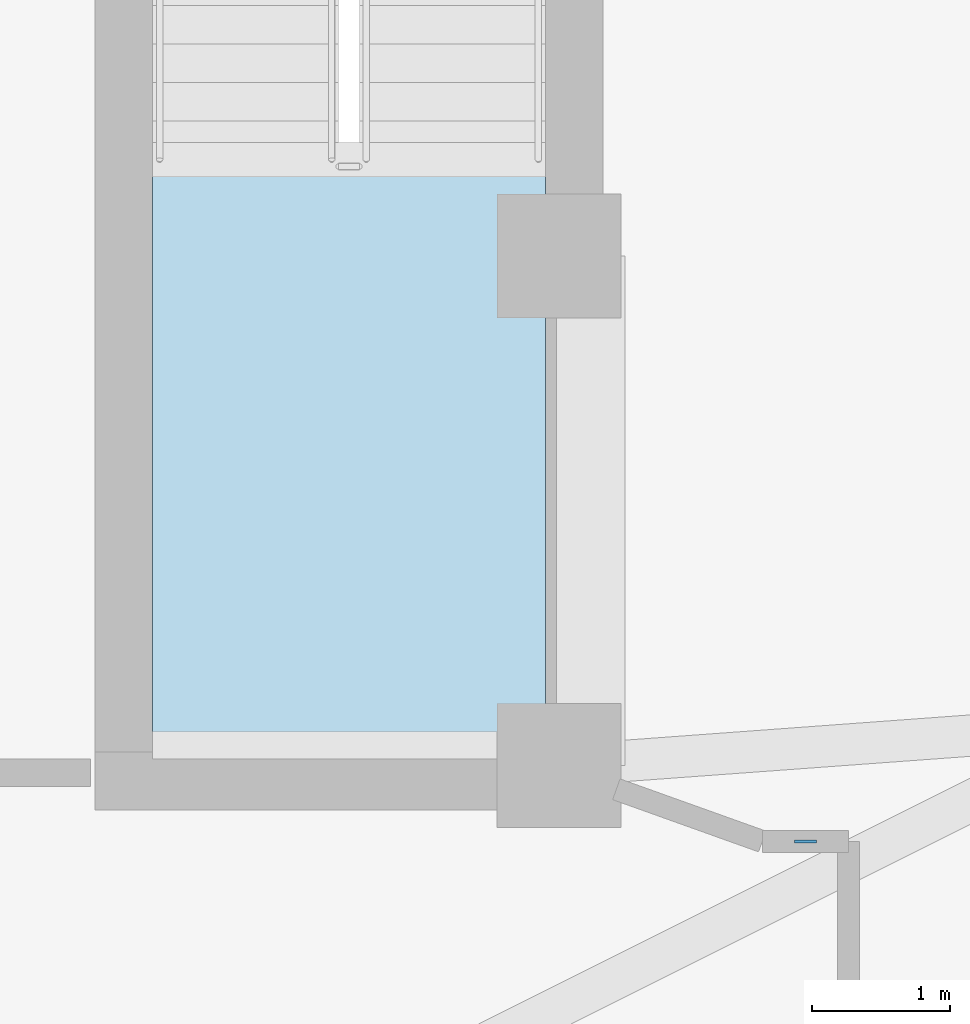
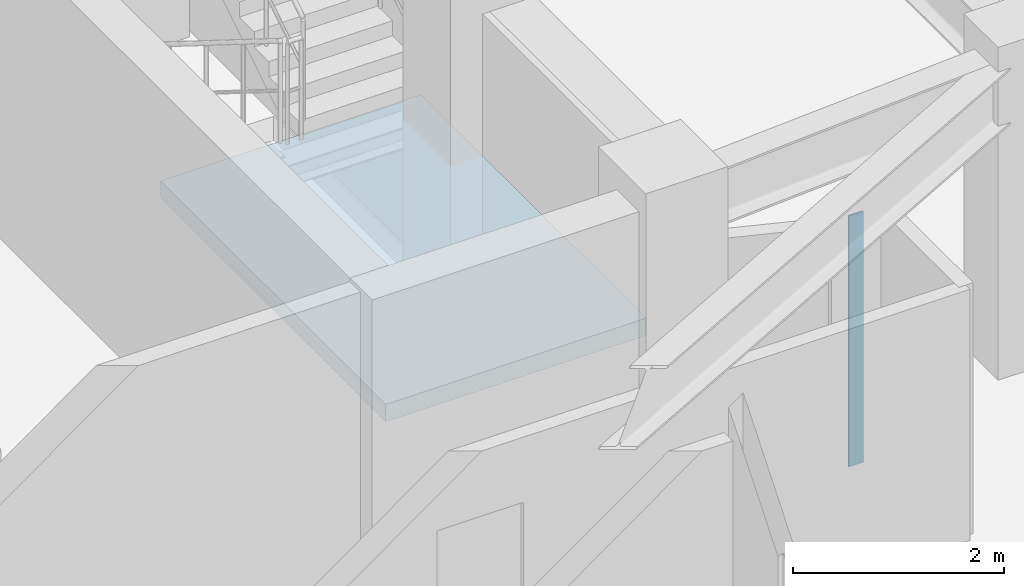
# One storey, part 3 of 13: 1 plate, 1 slab, 1 element without a shape of its own.
"""IFC4 building model written with IfcOpenShell, lengths in metres."""

from ifc_helpers import new_model, si_unit, direction, frame, origin, origin_2d, place, context, subcontext, project, spatial, polyline, rectangle, outline, extrude, material, layer, layer_set, type_object, element, aggregate, save


model = new_model("IFC4")

# Units and contexts
model_context = context("Model", 3, precision=1e-05, world=origin(), true_north=direction((0.0, 1.0)))
body_context = subcontext(model_context, "Body", "Model", "MODEL_VIEW")
ifc_project = project(units=[si_unit("LENGTHUNIT", "METRE"), si_unit("AREAUNIT", "SQUARE_METRE"), si_unit("VOLUMEUNIT", "CUBIC_METRE"), si_unit("PLANEANGLEUNIT", "RADIAN"), si_unit("MASSUNIT", "GRAM", prefix="KILO")], contexts=[model_context])

# Site, building, storey
site_placement = place(None, origin())
site = spatial("IfcSite", under=ifc_project, at=site_placement, CompositionType="ELEMENT")
building_placement = place(site_placement, origin())
building = spatial("IfcBuilding", under=site, at=building_placement, Name="Miruveldt Soraemaru", CompositionType="ELEMENT")
storey_placement = place(building_placement, frame((0.0, 0.0, 255.85009765625)))
storey = spatial("IfcBuildingStorey", under=building, at=storey_placement, Name="L70", CompositionType="ELEMENT", Elevation=255.85009765625)

# Plate
ifc_material_1 = material(Name="Anodised aluminium EN AW-6063 T6", Category="aluminium")
ifc_layer_1 = layer(ifc_material_1, 0.02001953125, Name="Anodised aluminium EN AW-6063 T6", Category="aluminium")
ifc_layer_set_1 = layer_set([ifc_layer_1], Name="Anodised aluminium EN AW-6063 T6")
plate_type = type_object("IfcPlateType", Name="PLT-PART-TRIM", PredefinedType="SHEET", material=ifc_layer_set_1)
plate_placement = place(storey_placement, frame((54.28759765625, 34.949951171875, 0.0), z_axis=(0.0, 0.0, 1.0), x_axis=(-1.0, 0.0, 0.0)))
element("IfcPlate", 1, at=plate_placement, inside=storey, type_object=plate_type, Name="L70 Partition Step Corner Trim Plate 012", PredefinedType="SHEET", context=body_context, shape_type="SweptSolid", body=[
    extrude(rectangle(XDim=0.159912109375, YDim=0.02001953125, at=origin_2d()), origin(), (0.0, 0.0, 1.0), 2.903076171875),
])

# Stair, slab
ifc_material_2 = material(Name="Concrete C40/50 (40 MPa)", Category="concrete")
stair_type = type_object("IfcStairType", Name="STAIR-DL-385", PredefinedType="HALF_TURN_STAIR", material=ifc_material_2)
stair_placement = place(storey_placement, origin())
stair = element("IfcStair", 2, at=stair_placement, inside=storey, type_object=stair_type, Name="L70 Protected Exit Stair ST-2", PredefinedType="HALF_TURN_STAIR")
ifc_layer_2 = layer(ifc_material_2, 0.199951171875, Name="Concrete C40/50 (40 MPa)", Category="concrete")
ifc_layer_set_2 = layer_set([ifc_layer_2], Name="Concrete C40/50 (40 MPa)")
slab_type = type_object("IfcSlabType", Name="SLAB-LAND-200", PredefinedType="LANDING", material=ifc_layer_set_2)
slab_placement = place(storey_placement, frame((0.0, 0.0, 1.724853515625)))
slab = element("IfcSlab", 3, at=slab_placement, type_object=slab_type, Name="ST-2 landing 1", PredefinedType="LANDING", context=body_context, shape_type="SweptSolid", body=[
    extrude(outline(polyline([(49.550048828125, 39.91796875), (49.550048828125, 35.64990234375), (52.39990234375, 35.64990234375), (52.39990234375, 39.91796875), (49.550048828125, 39.91796875)])), origin(), (0.0, 0.0, 1.0), 0.199951171875),
])
aggregate(stair, [slab])

save(model, "model.ifc")
